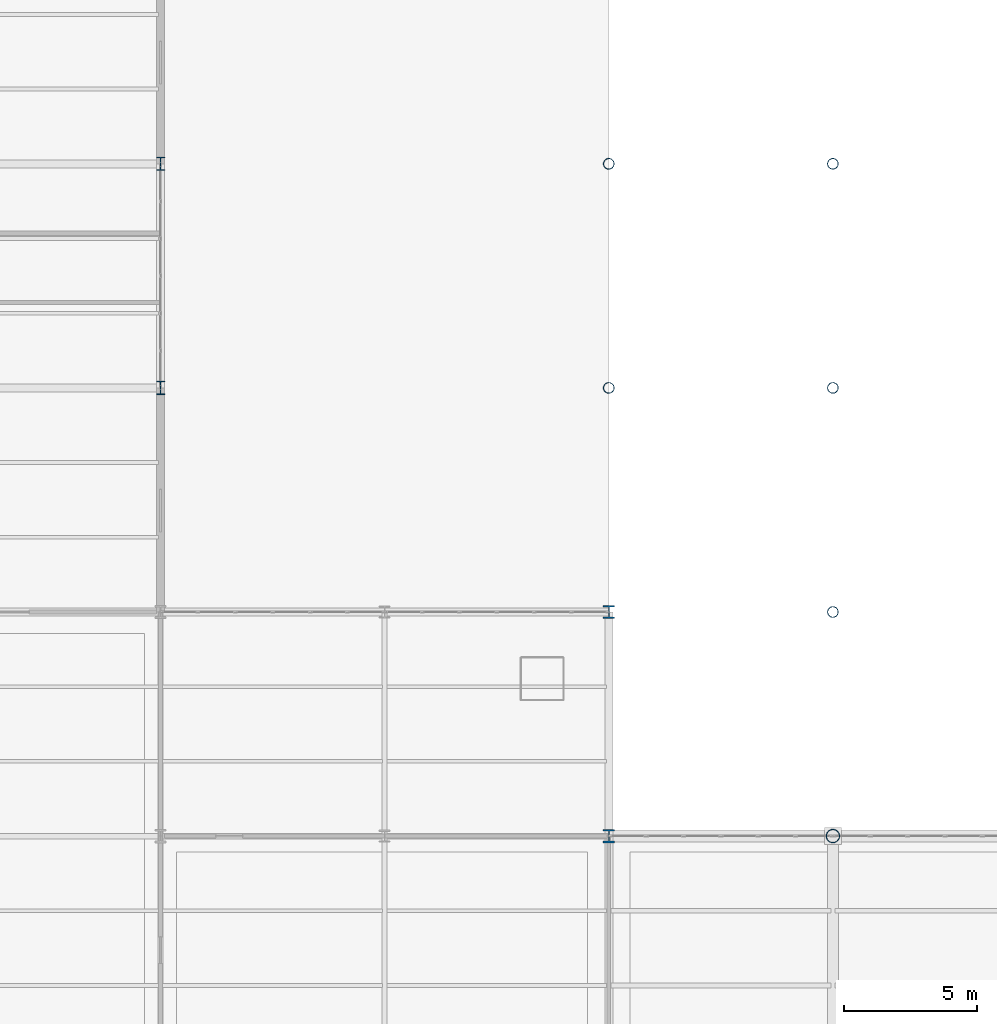
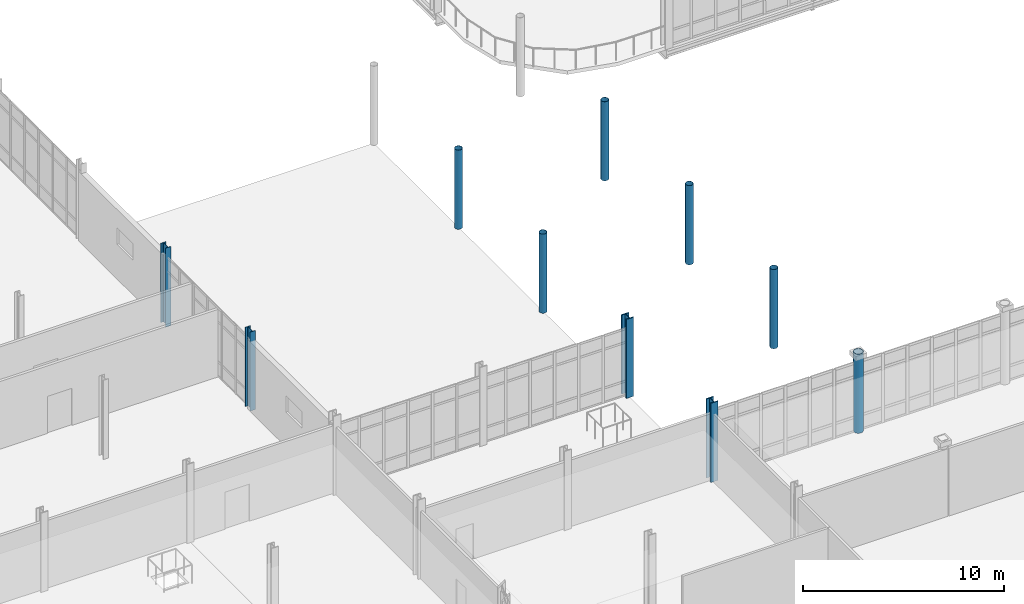
# One storey, part 6 of 145: 10 columns.
"""IFC4 building model written with IfcOpenShell, lengths in metres."""

import ifcopenshell
import ifcopenshell.guid

model = None  # the IFC model being written
_history = None  # IfcOwnerHistory: only IFC2X3 demands one
_inside = {}  # id of a spatial element -> (the spatial element, [elements in it])
_under = {}  # id of a project, library or spatial element -> (it, [spatial elements below it])
_declared = {}  # id of a project -> (the project, [libraries it declares])
_typed = {}  # id of a type object -> (the type object, [elements of that type])
_made_of = {}  # id of a material, layer set ... -> (it, [elements and type objects made of it])


def new_model(schema):
    """Start an empty IFC model of exactly this schema.

    Asked for "IFC4X3", IfcOpenShell would pick the latest addendum, in which some entities
    have other attributes; the version numbers below select the first issue.
    IFC2X3 requires an IfcOwnerHistory on every rooted entity: one is made here for all.
    """
    global model, _history
    if schema == "IFC4X3":
        model = ifcopenshell.file(schema_version=(4, 3, 0, 0))
    else:
        model = ifcopenshell.file(schema=schema)
    _inside.clear()
    _under.clear()
    _declared.clear()
    _typed.clear()
    _made_of.clear()
    _history = None
    if model.schema == "IFC2X3":
        org = make("IfcOrganization", Name="unknown")
        user = make(
            "IfcPersonAndOrganization",
            ThePerson=make("IfcPerson", FamilyName="unknown"),
            TheOrganization=org,
        )
        app = make(
            "IfcApplication",
            ApplicationDeveloper=org,
            Version="unknown",
            ApplicationFullName="unknown",
            ApplicationIdentifier="unknown",
        )
        _history = make(
            "IfcOwnerHistory",
            OwningUser=user,
            OwningApplication=app,
            ChangeAction="ADDED",
            CreationDate=0,
        )
    return model


def make(cls, **values):
    """One entity of the class cls with the attributes given. An attribute that is None is left unset."""
    return model.create_entity(
        cls, **{name: value for name, value in values.items() if value is not None}
    )


def rooted(cls, **values):
    """An entity with a GlobalId (a new one), such as an element, a storey or a relation."""
    return make(cls, GlobalId=ifcopenshell.guid.new(), OwnerHistory=_history, **values)


def si_unit(unit_type, name, prefix=None):
    """IfcSIUnit, for example si_unit("LENGTHUNIT", "METRE", prefix="MILLI")."""
    return make("IfcSIUnit", UnitType=unit_type, Prefix=prefix, Name=name)


def assignment(units):
    """IfcUnitAssignment: the units of a project."""
    return None if units is None else make("IfcUnitAssignment", Units=units)


def point(xyz):
    """IfcCartesianPoint."""
    return None if xyz is None else make("IfcCartesianPoint", Coordinates=xyz)


def direction(xyz):
    """IfcDirection."""
    return None if xyz is None else make("IfcDirection", DirectionRatios=xyz)


def frame(location, z_axis=None, x_axis=None):
    """IfcAxis2Placement3D, a coordinate frame: its origin and axes. An axis left out is left unset."""
    return make(
        "IfcAxis2Placement3D",
        Location=point(location),
        Axis=direction(z_axis),
        RefDirection=direction(x_axis),
    )


def frame_2d(location, x_axis=None):
    """IfcAxis2Placement2D, a coordinate frame in the plane: its origin and x axis."""
    return make(
        "IfcAxis2Placement2D", Location=point(location), RefDirection=direction(x_axis)
    )


def origin():
    """The frame at (0, 0, 0) with its axes left unset."""
    return frame((0.0, 0.0, 0.0))


def origin_2d():
    """The frame at (0, 0) in the plane with its x axis left unset."""
    return frame_2d((0.0, 0.0))


def place(relative_to, where):
    """IfcLocalPlacement: puts the frame where relative to a parent placement (None: the world)."""
    return make(
        "IfcLocalPlacement", PlacementRelTo=relative_to, RelativePlacement=where
    )


def context(
    kind, dimensions, precision=None, world=None, true_north=None, identifier=None
):
    """IfcGeometricRepresentationContext, for example the 3D "Model" context."""
    return make(
        "IfcGeometricRepresentationContext",
        ContextIdentifier=identifier,
        ContextType=kind,
        CoordinateSpaceDimension=dimensions,
        Precision=precision,
        WorldCoordinateSystem=world,
        TrueNorth=true_north,
    )


def subcontext(parent, identifier, kind, view, scale=None):
    """IfcGeometricRepresentationSubContext, for example "Body" below "Model"."""
    return make(
        "IfcGeometricRepresentationSubContext",
        ContextIdentifier=identifier,
        ContextType=kind,
        ParentContext=parent,
        TargetScale=scale,
        TargetView=view,
    )


def project(units=None, contexts=None):
    """IfcProject with its units and contexts."""
    return rooted(
        "IfcProject",
        Name="project",
        RepresentationContexts=contexts,
        UnitsInContext=assignment(units),
    )


def spatial(cls, under=None, at=None, **own):
    """A site, building, storey or space (cls), placed at a placement, below another one or the project."""
    s = rooted(cls, ObjectPlacement=at, **own)
    if under is not None:
        _under.setdefault(under.id(), (under, []))[1].append(s)
    return s


def profile(cls, at=None, kind="AREA", **sizes):
    """A parametric profile (cls). Its sizes go by their IFC names, for example OverallWidth=200.0."""
    return make(cls, ProfileType=kind, Position=at, **sizes)


def hollow_circle(**sizes):
    """IfcCircleHollowProfileDef."""
    return profile("IfcCircleHollowProfileDef", **sizes)


def i_section(**sizes):
    """IfcIShapeProfileDef."""
    return profile("IfcIShapeProfileDef", **sizes)


def extrude(swept, where, along, depth):
    """IfcExtrudedAreaSolid: the profile swept, set in the frame where, extruded along a direction by depth."""
    return make(
        "IfcExtrudedAreaSolid",
        SweptArea=swept,
        Position=where,
        ExtrudedDirection=direction(along),
        Depth=depth,
    )


def shape(context_of_items, identifier, shape_type, items):
    """IfcShapeRepresentation: the items that make up one representation, for example the "Body"."""
    return make(
        "IfcShapeRepresentation",
        ContextOfItems=context_of_items,
        RepresentationIdentifier=identifier,
        RepresentationType=shape_type,
        Items=items,
    )


def material(Name=None, Category=None):
    """IfcMaterial."""
    return make("IfcMaterial", Name=Name, Category=Category)


def material_profile(
    of_material, cross_section, Name=None, Category=None, Priority=None
):
    """IfcMaterialProfile: a cross section and its material."""
    return make(
        "IfcMaterialProfile",
        Name=Name,
        Material=of_material,
        Profile=cross_section,
        Priority=Priority,
        Category=Category,
    )


def profile_set(profiles, Name=None, composite=None):
    """IfcMaterialProfileSet."""
    return make(
        "IfcMaterialProfileSet",
        Name=Name,
        MaterialProfiles=profiles,
        CompositeProfile=composite,
    )


def made_of(thing, what):
    """Note that an element or type object is made of a material, layer set ...; save() writes the relation."""
    if what is not None:
        _made_of.setdefault(what.id(), (what, []))[1].append(thing)
    return thing


def type_object(cls, material=None, **own):
    """A type object (cls), such as IfcWallType, which elements share."""
    return made_of(rooted(cls, **own), material)


def element(
    cls,
    number,
    at=None,
    inside=None,
    cuts=None,
    type_object=None,
    material=None,
    context=None,
    identifier="Body",
    shape_type=None,
    held_by="IfcProductDefinitionShape",
    body=None,
    shapes=None,
    **own,
):
    """One element of the class cls, such as IfcWall. Its Tag is "e" and its number.

    at: its placement. inside: the storey or other place that contains it. cuts: it is an
    opening in that element (IfcRelVoidsElement). A single representation is given by context,
    identifier, shape_type and body (its items); several are given by shapes. held_by: the class
    of the entity that holds the representations. save() writes the other relations.
    """
    e = rooted(cls, Tag="e%d" % number, ObjectPlacement=at, **own)
    if body is not None:
        shapes = [shape(context, identifier, shape_type, body)]
    if shapes is not None:
        e.Representation = make(held_by, Representations=shapes)
    if inside is not None:
        _inside.setdefault(inside.id(), (inside, []))[1].append(e)
    if cuts is not None:
        rooted(
            "IfcRelVoidsElement", RelatingBuildingElement=cuts, RelatedOpeningElement=e
        )
    if type_object is not None:
        _typed.setdefault(type_object.id(), (type_object, []))[1].append(e)
    return made_of(e, material)


def aggregate(whole, parts):
    """IfcRelAggregates: a whole, such as a stair, and the parts it consists of."""
    return rooted("IfcRelAggregates", RelatingObject=whole, RelatedObjects=parts)


def save(model, path):
    """Write the relations noted so far, then the file.

    IfcRelAggregates (storeys below a building ...), IfcRelContainedInSpatialStructure (elements
    in a storey), IfcRelDefinesByType, IfcRelAssociatesMaterial and IfcRelDeclares: one each for
    every whole, place, type object, material and project.
    """
    for whole, parts in _under.values():
        aggregate(whole, parts)
    for where, things in _inside.values():
        rooted(
            "IfcRelContainedInSpatialStructure",
            RelatedElements=things,
            RelatingStructure=where,
        )
    for kind, things in _typed.values():
        rooted("IfcRelDefinesByType", RelatedObjects=things, RelatingType=kind)
    for what, things in _made_of.values():
        rooted("IfcRelAssociatesMaterial", RelatedObjects=things, RelatingMaterial=what)
    for by, libraries in _declared.values():
        rooted("IfcRelDeclares", RelatingContext=by, RelatedDefinitions=libraries)
    model.write(path)


model = new_model("IFC4")

# Units and contexts
model_context = context("Model", 3, precision=1e-05, world=origin(), true_north=direction((0.0, 1.0)))
body_context = subcontext(model_context, "Body", "Model", "MODEL_VIEW")
ifc_project = project(units=[si_unit("LENGTHUNIT", "METRE"), si_unit("AREAUNIT", "SQUARE_METRE"), si_unit("VOLUMEUNIT", "CUBIC_METRE"), si_unit("PLANEANGLEUNIT", "RADIAN"), si_unit("MASSUNIT", "GRAM", prefix="KILO")], contexts=[model_context])

# Site, building, storey
site_placement = place(None, origin())
site = spatial("IfcSite", under=ifc_project, at=site_placement, CompositionType="ELEMENT")
building_placement = place(site_placement, origin())
building = spatial("IfcBuilding", under=site, at=building_placement, Name="Qalvenar Corner Mobility Hub", CompositionType="ELEMENT")
storey_placement = place(building_placement, origin())
storey = spatial("IfcBuildingStorey", under=building, at=storey_placement, Name="L00", CompositionType="ELEMENT", Elevation=0.0)

# Columns
ifc_material = material(Name="Steel S355", Category="steel")
ifc_material_profile_1 = material_profile(ifc_material, hollow_circle(Radius=0.203125, WallThickness=0.012451171875, at=origin_2d()), Name="CHS406.4x12.5")
ifc_profile_set_1 = profile_set([ifc_material_profile_1], Name="Steel S355")
column_type_1 = type_object("IfcColumnType", Name="COL-CHS406", PredefinedType="COLUMN", material=ifc_profile_set_1)
for number, where, z_axis, x_axis, name in (
    (1, (50.39990234375, 50.39990234375, 0.0), (0.0, 0.0, 1.0), (1.0, 0.0, 0.0), "Steel Column L00-G7-6"),
    (2, (50.39990234375, 58.800048828125, 0.0), (0.0, 0.0, 1.0), (1.0, 0.0, 0.0), "Steel Column L00-G7-7"),
    (3, (58.800048828125, 42.0, 0.0), (0.0, 0.0, 1.0), (1.0, 0.0, 0.0), "Steel Column L00-G8-5"),
    (4, (58.800048828125, 50.39990234375, 0.0), (0.0, 0.0, 1.0), (1.0, 0.0, 0.0), "Steel Column L00-G8-6"),
    (5, (58.800048828125, 58.800048828125, 0.0), (0.0, 0.0, 1.0), (1.0, 0.0, 0.0), "Steel Column L00-G8-7"),
):
    element("IfcColumn", number, at=place(storey_placement, frame(where, z_axis=z_axis, x_axis=x_axis)), inside=storey, type_object=column_type_1, Name=name, PredefinedType="COLUMN", context=body_context, shape_type="SweptSolid", body=[
        extrude(hollow_circle(Radius=0.203125, WallThickness=0.012451171875, at=origin_2d()), origin(), (0.0, 0.0, 1.0), 4.800048828125),
    ])
ifc_material_profile_2 = material_profile(ifc_material, hollow_circle(Radius=0.25390625, WallThickness=0.01611328125, at=origin_2d()), Name="CHS508x16")
ifc_profile_set_2 = profile_set([ifc_material_profile_2], Name="Steel S355")
column_type_2 = type_object("IfcColumnType", Name="COL-CHS508", PredefinedType="COLUMN", material=ifc_profile_set_2)
column_placement = place(storey_placement, frame((58.800048828125, 33.60009765625, 0.0), z_axis=(0.0, 0.0, 1.0), x_axis=(1.0, 0.0, 0.0)))
element("IfcColumn", 6, at=column_placement, inside=storey, type_object=column_type_2, Name="Steel Column L00-G8-4", PredefinedType="COLUMN", context=body_context, shape_type="SweptSolid", body=[
    extrude(hollow_circle(Radius=0.25390625, WallThickness=0.01611328125, at=origin_2d()), origin(), (0.0, 0.0, 1.0), 4.800048828125),
])
ifc_material_profile_3 = material_profile(ifc_material, i_section(OverallWidth=0.419921875, OverallDepth=0.5048828125, WebThickness=0.03662109375, FlangeThickness=0.05908203125, FilletRadius=0.014892578125, at=origin_2d()), Name="HD400x551")
ifc_profile_set_3 = profile_set([ifc_material_profile_3], Name="Steel S355")
column_type_3 = type_object("IfcColumnType", Name="COL-HD400X463", PredefinedType="COLUMN", material=ifc_profile_set_3)
for number, where, z_axis, x_axis, name in (
    (7, (50.39990234375, 33.60009765625, 0.0), (0.0, 0.0, 1.0), (1.0, 0.0, 0.0), "Steel Column L00-G7-4"),
    (8, (50.39990234375, 42.0, 0.0), (0.0, 0.0, 1.0), (1.0, 0.0, 0.0), "Steel Column L00-G7-5"),
):
    element("IfcColumn", number, at=place(storey_placement, frame(where, z_axis=z_axis, x_axis=x_axis)), inside=storey, type_object=column_type_3, Name=name, PredefinedType="COLUMN", context=body_context, shape_type="SweptSolid", body=[
        extrude(i_section(OverallWidth=0.419921875, OverallDepth=0.5048828125, WebThickness=0.03662109375, FlangeThickness=0.05908203125, FilletRadius=0.014892578125, at=origin_2d()), origin(), (0.0, 0.0, 1.0), 4.800048828125),
    ])
ifc_material_profile_4 = material_profile(ifc_material, i_section(OverallWidth=0.300048828125, OverallDepth=0.5, WebThickness=0.014404296875, FlangeThickness=0.028076171875, FilletRadius=0.027099609375, at=origin_2d()), Name="HEB500")
ifc_profile_set_4 = profile_set([ifc_material_profile_4], Name="Steel S355")
column_type_4 = type_object("IfcColumnType", Name="COL-HEB500", PredefinedType="COLUMN", material=ifc_profile_set_4)
for number, where, z_axis, x_axis, name in (
    (9, (33.60009765625, 50.39990234375, 0.0), (0.0, 0.0, 1.0), (1.0, 0.0, 0.0), "Steel Column L00-G5-6"),
    (10, (33.60009765625, 58.800048828125, 0.0), (0.0, 0.0, 1.0), (1.0, 0.0, 0.0), "Steel Column L00-G5-7"),
):
    element("IfcColumn", number, at=place(storey_placement, frame(where, z_axis=z_axis, x_axis=x_axis)), inside=storey, type_object=column_type_4, Name=name, PredefinedType="COLUMN", context=body_context, shape_type="SweptSolid", body=[
        extrude(i_section(OverallWidth=0.300048828125, OverallDepth=0.5, WebThickness=0.014404296875, FlangeThickness=0.028076171875, FilletRadius=0.027099609375, at=origin_2d()), origin(), (0.0, 0.0, 1.0), 4.800048828125),
    ])

save(model, "model.ifc")
